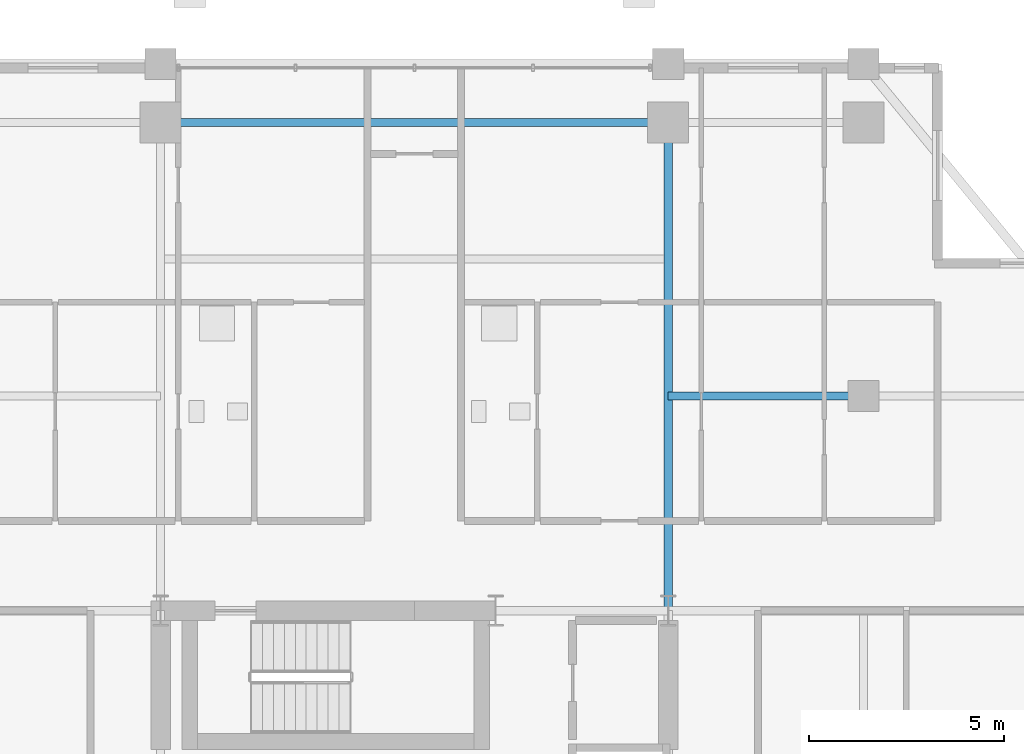
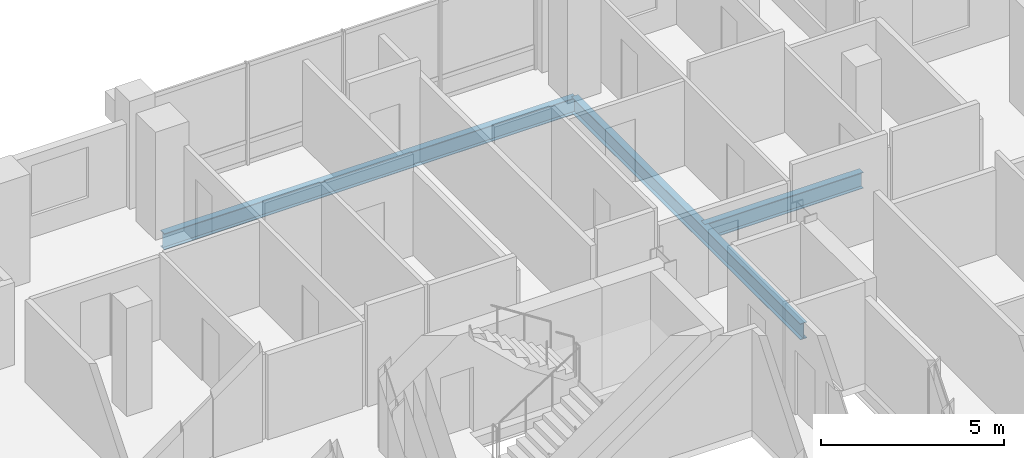
# One storey, part 14 of 24: 3 beams.
"""IFC4 building model written with IfcOpenShell, lengths in metres."""

from ifc_helpers import new_model, si_unit, direction, frame, origin, origin_2d, place, context, subcontext, project, spatial, i_section, extrude, material, material_profile, profile_set, type_object, element, save


model = new_model("IFC4")

# Units and contexts
model_context = context("Model", 3, precision=1e-05, world=origin(), true_north=direction((0.0, 1.0)))
body_context = subcontext(model_context, "Body", "Model", "MODEL_VIEW")
ifc_project = project(units=[si_unit("LENGTHUNIT", "METRE"), si_unit("AREAUNIT", "SQUARE_METRE"), si_unit("VOLUMEUNIT", "CUBIC_METRE"), si_unit("PLANEANGLEUNIT", "RADIAN"), si_unit("MASSUNIT", "GRAM", prefix="KILO")], contexts=[model_context])

# Site, building, storey
site_placement = place(None, origin())
site = spatial("IfcSite", under=ifc_project, at=site_placement, CompositionType="ELEMENT")
building_placement = place(site_placement, origin())
building = spatial("IfcBuilding", under=site, at=building_placement, Name="Barlavira Tower and Art Museum", CompositionType="ELEMENT")
storey_placement = place(building_placement, frame((0.0, 0.0, 169.199951171875)))
storey = spatial("IfcBuildingStorey", under=building, at=storey_placement, Name="L43", CompositionType="ELEMENT", Elevation=169.199951171875)

# Beams
ifc_material = material(Name="Steel S355", Category="steel")
ifc_material_profile = material_profile(ifc_material, i_section(OverallWidth=0.2109375, OverallDepth=0.5390625, WebThickness=0.01171875, FlangeThickness=0.018798828125, at=origin_2d()), Name="W530x109.0")
ifc_profile_set = profile_set([ifc_material_profile], Name="Steel S355")
beam_type = type_object("IfcBeamType", Name="Zone 3-4 Primary Floor Girder W530x109 Steel S355", PredefinedType="BEAM", material=ifc_profile_set)
beam_1_placement = place(storey_placement, frame((-6.5, 20.0, -0.489501953125), z_axis=(1.0, 0.0, 0.0), x_axis=(0.0, 1.0, 0.0)))
element("IfcBeam", 1, at=beam_1_placement, inside=storey, type_object=beam_type, Name="L43 Girder M-N2", PredefinedType="BEAM", context=body_context, shape_type="SweptSolid", body=[
    extrude(i_section(OverallWidth=0.2109375, OverallDepth=0.5390625, WebThickness=0.01171875, FlangeThickness=0.018798828125, at=origin_2d()), origin(), (0.0, 0.0, 1.0), 13.0),
])
beam_2_placement = place(storey_placement, frame((6.5, 7.5, -0.489501953125), z_axis=(0.0, 1.0, 0.0), x_axis=(-1.0, 0.0, 0.0)))
element("IfcBeam", 2, at=beam_2_placement, inside=storey, type_object=beam_type, Name="L43 Girder R-N2", PredefinedType="BEAM", context=body_context, shape_type="SweptSolid", body=[
    extrude(i_section(OverallWidth=0.2109375, OverallDepth=0.5390625, WebThickness=0.01171875, FlangeThickness=0.018798828125, at=origin_2d()), origin(), (0.0, 0.0, 1.0), 12.5),
])
beam_3_placement = place(storey_placement, frame((6.5, 13.0, -0.489501953125), z_axis=(1.0, 0.0, 0.0), x_axis=(0.0, 1.0, 0.0)))
element("IfcBeam", 3, at=beam_3_placement, inside=storey, type_object=beam_type, Name="L43 Girder I-N3", PredefinedType="BEAM", context=body_context, shape_type="SweptSolid", body=[
    extrude(i_section(OverallWidth=0.2109375, OverallDepth=0.5390625, WebThickness=0.01171875, FlangeThickness=0.018798828125, at=origin_2d()), origin(), (0.0, 0.0, 1.0), 5.0),
])

save(model, "model.ifc")
